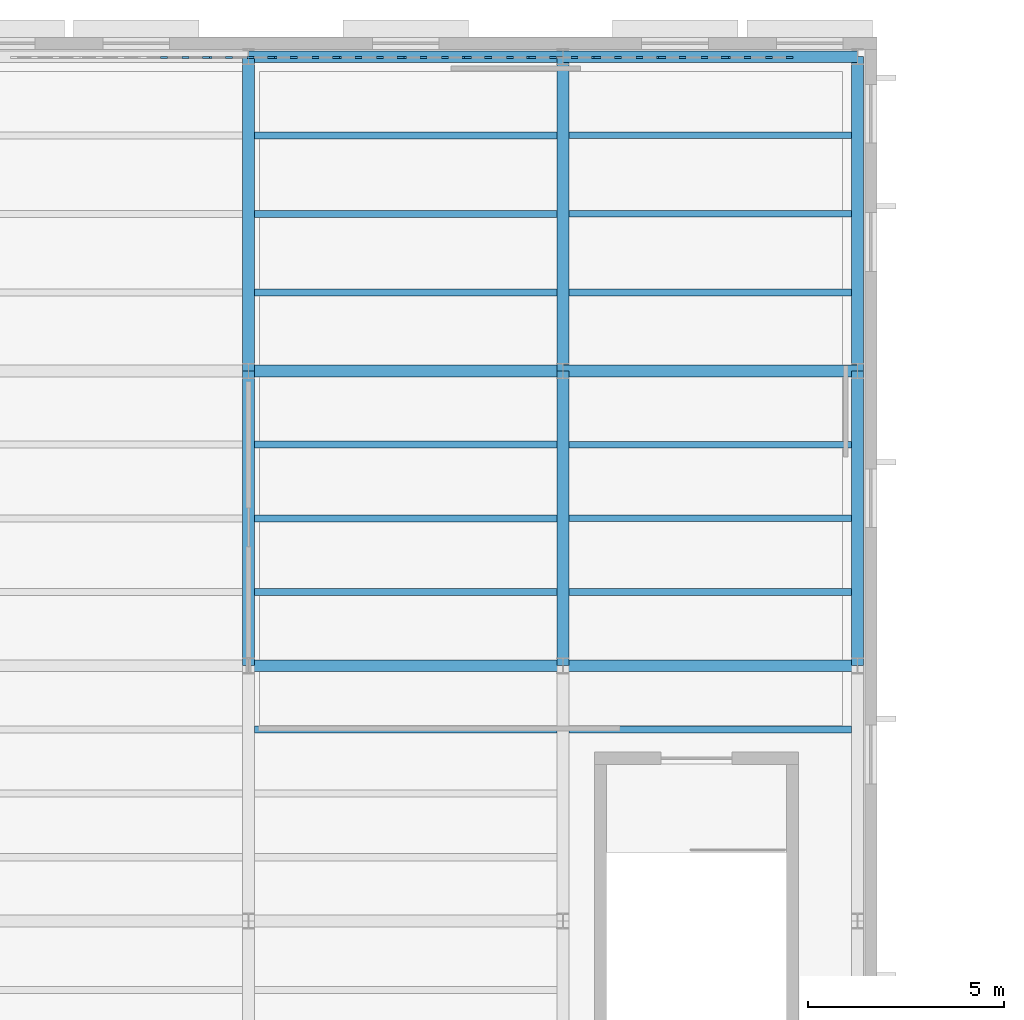
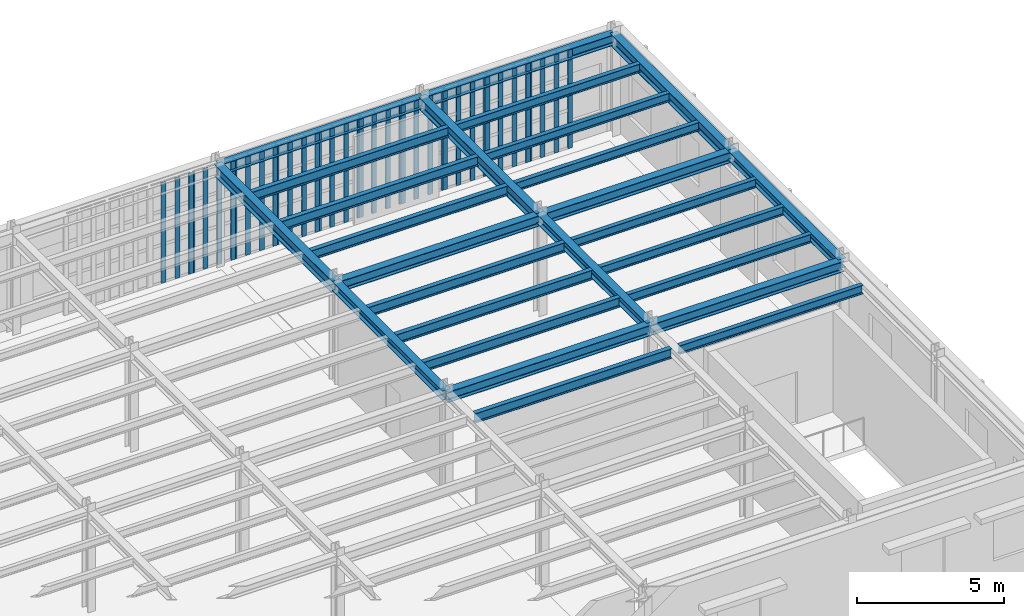
# One storey, part 32 of 91: 39 members, 26 beams, 10 elements without a shape of their own.
"""IFC4 building model written with IfcOpenShell, lengths in metres."""

from ifc_helpers import new_model, si_unit, direction, frame, origin, origin_2d, place, context, subcontext, project, spatial, rectangle, i_section, extrude, material, material_profile, profile_set, type_object, element, aggregate, save


model = new_model("IFC4")

# Units and contexts
model_context = context("Model", 3, precision=1e-05, world=origin(), true_north=direction((0.0, 1.0)))
body_context = subcontext(model_context, "Body", "Model", "MODEL_VIEW")
ifc_project = project(units=[si_unit("LENGTHUNIT", "METRE"), si_unit("AREAUNIT", "SQUARE_METRE"), si_unit("VOLUMEUNIT", "CUBIC_METRE"), si_unit("PLANEANGLEUNIT", "RADIAN"), si_unit("MASSUNIT", "GRAM", prefix="KILO")], contexts=[model_context])

# Site, building, storey
site_placement = place(None, origin())
site = spatial("IfcSite", under=ifc_project, at=site_placement, CompositionType="ELEMENT")
building_placement = place(site_placement, origin())
building = spatial("IfcBuilding", under=site, at=building_placement, Name="Kolvaren Corner Interchange", CompositionType="ELEMENT")
storey_placement = place(building_placement, frame((0.0, 0.0, 6.0)))
storey = spatial("IfcBuildingStorey", under=building, at=storey_placement, Name="L02", CompositionType="ELEMENT", Elevation=6.0)

# Beams
ifc_material_1 = material(Name="Steel S355", Category="steel")
ifc_material_profile_1 = material_profile(ifc_material_1, i_section(OverallWidth=0.300048828125, OverallDepth=0.389892578125, WebThickness=0.010986328125, FlangeThickness=0.01904296875, FilletRadius=0.027099609375, at=origin_2d()), Name="HEA 400")
ifc_profile_set_1 = profile_set([ifc_material_profile_1], Name="Steel S355")
beam_type_1 = type_object("IfcBeamType", Name="BM-HEA400", PredefinedType="BEAM", material=ifc_profile_set_1)
for number, where, z_axis, x_axis, name in (
    (1, (98.0, 98.0, 3.985107421875), (0.0, 1.0, 0.0), (-1.0, 0.0, 0.0), "Storey L02 Grid Y Primary Girder 0808"),
    (2, (106.0, 98.0, 3.985107421875), (0.0, 1.0, 0.0), (-1.0, 0.0, 0.0), "Storey L02 Grid Y Primary Girder 0812"),
    (3, (113.5, 98.0, 3.985107421875), (0.0, 1.0, 0.0), (-1.0, 0.0, 0.0), "Storey L02 Grid Y Primary Girder 0816"),
):
    element("IfcBeam", number, at=place(storey_placement, frame(where, z_axis=z_axis, x_axis=x_axis)), inside=storey, type_object=beam_type_1, Name=name, PredefinedType="BEAM", context=body_context, shape_type="SweptSolid", body=[
        extrude(i_section(OverallWidth=0.300048828125, OverallDepth=0.389892578125, WebThickness=0.010986328125, FlangeThickness=0.01904296875, FilletRadius=0.027099609375, at=origin_2d()), origin(), (0.0, 0.0, 1.0), 7.5),
    ])
ifc_material_2 = material(Name="Steel S355", Category="steel")
ifc_material_profile_2 = material_profile(ifc_material_2, i_section(OverallWidth=0.300048828125, OverallDepth=0.43994140625, WebThickness=0.011474609375, FlangeThickness=0.02099609375, FilletRadius=0.027099609375, at=origin_2d()), Name="HEA 450")
ifc_profile_set_2 = profile_set([ifc_material_profile_2], Name="Steel S355")
beam_type_2 = type_object("IfcBeamType", Name="BM-HEA450", PredefinedType="BEAM", material=ifc_profile_set_2)
beam_1_placement = place(storey_placement, frame((98.0, 98.0, 3.9599609375), z_axis=(1.0, 0.0, 0.0), x_axis=(0.0, 1.0, 0.0)))
element("IfcBeam", 4, at=beam_1_placement, inside=storey, type_object=beam_type_2, Name="Storey L02 Grid X Primary Girder 0724", PredefinedType="BEAM", context=body_context, shape_type="SweptSolid", body=[
    extrude(i_section(OverallWidth=0.300048828125, OverallDepth=0.43994140625, WebThickness=0.011474609375, FlangeThickness=0.02099609375, FilletRadius=0.027099609375, at=origin_2d()), origin(), (0.0, 0.0, 1.0), 8.0),
])
beam_2_placement = place(storey_placement, frame((106.0, 98.0, 3.9599609375), z_axis=(1.0, 0.0, 0.0), x_axis=(0.0, 1.0, 0.0)))
element("IfcBeam", 5, at=beam_2_placement, inside=storey, type_object=beam_type_2, Name="Storey L02 Grid X Primary Girder 0725", PredefinedType="BEAM", context=body_context, shape_type="SweptSolid", body=[
    extrude(i_section(OverallWidth=0.300048828125, OverallDepth=0.43994140625, WebThickness=0.011474609375, FlangeThickness=0.02099609375, FilletRadius=0.027099609375, at=origin_2d()), origin(), (0.0, 0.0, 1.0), 7.5),
])
beam_3_placement = place(storey_placement, frame((98.0, 105.5, 3.9599609375), z_axis=(1.0, 0.0, 0.0), x_axis=(0.0, 1.0, 0.0)))
element("IfcBeam", 6, at=beam_3_placement, inside=storey, type_object=beam_type_2, Name="Storey L02 Grid X Primary Girder 0731", PredefinedType="BEAM", context=body_context, shape_type="SweptSolid", body=[
    extrude(i_section(OverallWidth=0.300048828125, OverallDepth=0.43994140625, WebThickness=0.011474609375, FlangeThickness=0.02099609375, FilletRadius=0.027099609375, at=origin_2d()), origin(), (0.0, 0.0, 1.0), 8.0),
])
beam_4_placement = place(storey_placement, frame((106.0, 105.5, 3.9599609375), z_axis=(1.0, 0.0, 0.0), x_axis=(0.0, 1.0, 0.0)))
element("IfcBeam", 7, at=beam_4_placement, inside=storey, type_object=beam_type_2, Name="Storey L02 Grid X Primary Girder 0732", PredefinedType="BEAM", context=body_context, shape_type="SweptSolid", body=[
    extrude(i_section(OverallWidth=0.300048828125, OverallDepth=0.43994140625, WebThickness=0.011474609375, FlangeThickness=0.02099609375, FilletRadius=0.027099609375, at=origin_2d()), origin(), (0.0, 0.0, 1.0), 7.5),
])
beam_5_placement = place(storey_placement, frame((98.0, 113.5, 3.9599609375), z_axis=(1.0, 0.0, 0.0), x_axis=(0.0, 1.0, 0.0)))
element("IfcBeam", 8, at=beam_5_placement, inside=storey, type_object=beam_type_2, Name="Storey L02 Grid X Primary Girder 0738", PredefinedType="BEAM", context=body_context, shape_type="SweptSolid", body=[
    extrude(i_section(OverallWidth=0.300048828125, OverallDepth=0.43994140625, WebThickness=0.011474609375, FlangeThickness=0.02099609375, FilletRadius=0.027099609375, at=origin_2d()), origin(), (0.0, 0.0, 1.0), 8.0),
])
beam_6_placement = place(storey_placement, frame((106.0, 113.5, 3.9599609375), z_axis=(1.0, 0.0, 0.0), x_axis=(0.0, 1.0, 0.0)))
element("IfcBeam", 9, at=beam_6_placement, inside=storey, type_object=beam_type_2, Name="Storey L02 Grid X Primary Girder 0739", PredefinedType="BEAM", context=body_context, shape_type="SweptSolid", body=[
    extrude(i_section(OverallWidth=0.300048828125, OverallDepth=0.43994140625, WebThickness=0.011474609375, FlangeThickness=0.02099609375, FilletRadius=0.027099609375, at=origin_2d()), origin(), (0.0, 0.0, 1.0), 7.5),
])
ifc_material_3 = material(Name="Steel S355", Category="steel")
ifc_material_profile_3 = material_profile(ifc_material_3, i_section(OverallWidth=0.300048828125, OverallDepth=0.489990234375, WebThickness=0.011962890625, FlangeThickness=0.02294921875, FilletRadius=0.027099609375, at=origin_2d()), Name="HEA 500")
ifc_profile_set_3 = profile_set([ifc_material_profile_3], Name="Steel S355")
beam_type_3 = type_object("IfcBeamType", Name="BM-HEA500", PredefinedType="BEAM", material=ifc_profile_set_3)
for number, where, z_axis, x_axis, name in (
    (10, (98.0, 105.5, 3.93505859375), (0.0, 1.0, 0.0), (-1.0, 0.0, 0.0), "Storey L02 Grid Y Primary Girder 0809"),
    (11, (106.0, 105.5, 3.93505859375), (0.0, 1.0, 0.0), (-1.0, 0.0, 0.0), "Storey L02 Grid Y Primary Girder 0813"),
    (12, (113.5, 105.5, 3.93505859375), (0.0, 1.0, 0.0), (-1.0, 0.0, 0.0), "Storey L02 Grid Y Primary Girder 0817"),
):
    element("IfcBeam", number, at=place(storey_placement, frame(where, z_axis=z_axis, x_axis=x_axis)), inside=storey, type_object=beam_type_3, Name=name, PredefinedType="BEAM", context=body_context, shape_type="SweptSolid", body=[
        extrude(i_section(OverallWidth=0.300048828125, OverallDepth=0.489990234375, WebThickness=0.011962890625, FlangeThickness=0.02294921875, FilletRadius=0.027099609375, at=origin_2d()), origin(), (0.0, 0.0, 1.0), 8.0),
    ])
ifc_material_4 = material(Name="Steel S355", Category="steel")
ifc_material_profile_4 = material_profile(ifc_material_4, i_section(OverallWidth=0.169921875, OverallDepth=0.360107421875, WebThickness=0.008056640625, FlangeThickness=0.0126953125, FilletRadius=0.01806640625, at=origin_2d()), Name="IPE 360")
ifc_profile_set_4 = profile_set([ifc_material_profile_4], Name="Steel S355")
beam_type_4 = type_object("IfcBeamType", Name="JS-IPE360", PredefinedType="JOIST", material=ifc_profile_set_4)
for number, where, z_axis, x_axis, name in (
    (13, (106.14990234375, 96.375, 4.0), (1.0, 0.0, 0.0), (0.0, 1.0, 0.0), "Storey L02 Composite Floor Joist 0752"),
    (14, (106.14990234375, 99.875, 4.0), (1.0, 0.0, 0.0), (0.0, 1.0, 0.0), "Storey L02 Composite Floor Joist 0753"),
    (15, (106.14990234375, 101.75, 4.0), (1.0, 0.0, 0.0), (0.0, 1.0, 0.0), "Storey L02 Composite Floor Joist 0754"),
    (16, (106.14990234375, 103.625, 4.0), (1.0, 0.0, 0.0), (0.0, 1.0, 0.0), "Storey L02 Composite Floor Joist 0755"),
    (17, (106.14990234375, 107.5, 4.0), (1.0, 0.0, 0.0), (0.0, 1.0, 0.0), "Storey L02 Composite Floor Joist 0756"),
    (18, (106.14990234375, 109.5, 4.0), (1.0, 0.0, 0.0), (0.0, 1.0, 0.0), "Storey L02 Composite Floor Joist 0757"),
    (19, (106.14990234375, 111.5, 4.0), (1.0, 0.0, 0.0), (0.0, 1.0, 0.0), "Storey L02 Composite Floor Joist 0758"),
):
    element("IfcBeam", number, at=place(storey_placement, frame(where, z_axis=z_axis, x_axis=x_axis)), inside=storey, type_object=beam_type_4, Name=name, PredefinedType="JOIST", context=body_context, shape_type="SweptSolid", body=[
        extrude(i_section(OverallWidth=0.169921875, OverallDepth=0.360107421875, WebThickness=0.008056640625, FlangeThickness=0.0126953125, FilletRadius=0.01806640625, at=origin_2d()), origin(), (0.0, 0.0, 1.0), 7.2001953125),
    ])
ifc_material_5 = material(Name="Steel S355", Category="steel")
ifc_material_profile_5 = material_profile(ifc_material_5, i_section(OverallWidth=0.179931640625, OverallDepth=0.39990234375, WebThickness=0.008544921875, FlangeThickness=0.013427734375, FilletRadius=0.02099609375, at=origin_2d()), Name="IPE 400")
ifc_profile_set_5 = profile_set([ifc_material_profile_5], Name="Steel S355")
beam_type_5 = type_object("IfcBeamType", Name="JS-IPE400", PredefinedType="JOIST", material=ifc_profile_set_5)
for number, where, z_axis, x_axis, name in (
    (20, (98.14990234375, 96.375, 3.97998046875), (1.0, 0.0, 0.0), (0.0, 1.0, 0.0), "Storey L02 Composite Floor Joist 0745"),
    (21, (98.14990234375, 99.875, 3.97998046875), (1.0, 0.0, 0.0), (0.0, 1.0, 0.0), "Storey L02 Composite Floor Joist 0746"),
    (22, (98.14990234375, 101.75, 3.97998046875), (1.0, 0.0, 0.0), (0.0, 1.0, 0.0), "Storey L02 Composite Floor Joist 0747"),
    (23, (98.14990234375, 103.625, 3.97998046875), (1.0, 0.0, 0.0), (0.0, 1.0, 0.0), "Storey L02 Composite Floor Joist 0748"),
    (24, (98.14990234375, 107.5, 3.97998046875), (1.0, 0.0, 0.0), (0.0, 1.0, 0.0), "Storey L02 Composite Floor Joist 0749"),
    (25, (98.14990234375, 109.5, 3.97998046875), (1.0, 0.0, 0.0), (0.0, 1.0, 0.0), "Storey L02 Composite Floor Joist 0750"),
    (26, (98.14990234375, 111.5, 3.97998046875), (1.0, 0.0, 0.0), (0.0, 1.0, 0.0), "Storey L02 Composite Floor Joist 0751"),
):
    element("IfcBeam", number, at=place(storey_placement, frame(where, z_axis=z_axis, x_axis=x_axis)), inside=storey, type_object=beam_type_5, Name=name, PredefinedType="JOIST", context=body_context, shape_type="SweptSolid", body=[
        extrude(i_section(OverallWidth=0.179931640625, OverallDepth=0.39990234375, WebThickness=0.008544921875, FlangeThickness=0.013427734375, FilletRadius=0.02099609375, at=origin_2d()), origin(), (0.0, 0.0, 1.0), 7.7001953125),
    ])

# Curtain wall, members
ifc_material_6 = material(Name="Unitised Aluminium and Solar-Control Glass Curtain Wall", Category="aluminium")
curtain_wall_type = type_object("IfcCurtainWallType", Name="CW-V3-MEZZ", PredefinedType="NOTDEFINED", material=ifc_material_6)
curtain_wall_1_placement = place(storey_placement, origin())
curtain_wall_1 = element("IfcCurtainWall", 27, at=curtain_wall_1_placement, inside=storey, type_object=curtain_wall_type, Name="Cycle Mezzanine North Curtain Wall Bay 03", PredefinedType="NOTDEFINED")
ifc_material_7 = material(Name="Anodised Aluminium Framing", Category="aluminium")
ifc_material_profile_6 = material_profile(ifc_material_7, rectangle(XDim=0.06005859375, YDim=0.179931640625, at=origin_2d()), Name="ALU 60x180")
ifc_profile_set_6 = profile_set([ifc_material_profile_6], Name="Anodised Aluminium Framing")
member_type = type_object("IfcMemberType", Name="MUL-ALU60x180", PredefinedType="MULLION", material=ifc_profile_set_6)
member_1_placement = place(storey_placement, frame((95.85009765625, 113.47998046875, 0.0), z_axis=(0.0, 0.0, 1.0), x_axis=(0.0, 1.0, 0.0)))
member_1 = element("IfcMember", 28, at=member_1_placement, type_object=member_type, Name="CW-116 mullion 2", PredefinedType="MULLION", context=body_context, shape_type="SweptSolid", body=[
    extrude(rectangle(XDim=0.06005859375, YDim=0.179931640625, at=origin_2d()), origin(), (0.0, 0.0, 1.0), 4.159912109375),
])
member_2_placement = place(storey_placement, frame((96.39990234375, 113.47998046875, 0.0), z_axis=(0.0, 0.0, 1.0), x_axis=(0.0, 1.0, 0.0)))
member_2 = element("IfcMember", 29, at=member_2_placement, type_object=member_type, Name="CW-116 mullion 3", PredefinedType="MULLION", context=body_context, shape_type="SweptSolid", body=[
    extrude(rectangle(XDim=0.06005859375, YDim=0.179931640625, at=origin_2d()), origin(), (0.0, 0.0, 1.0), 4.159912109375),
])
member_3_placement = place(storey_placement, frame((96.919921875, 113.47998046875, 0.0), z_axis=(0.0, 0.0, 1.0), x_axis=(0.0, 1.0, 0.0)))
member_3 = element("IfcMember", 30, at=member_3_placement, type_object=member_type, Name="CW-116 mullion 4", PredefinedType="MULLION", context=body_context, shape_type="SweptSolid", body=[
    extrude(rectangle(XDim=0.06005859375, YDim=0.179931640625, at=origin_2d()), origin(), (0.0, 0.0, 1.0), 4.159912109375),
])
aggregate(curtain_wall_1, [member_1, member_2, member_3])

curtain_wall_2_placement = place(storey_placement, origin())
curtain_wall_2 = element("IfcCurtainWall", 31, at=curtain_wall_2_placement, inside=storey, type_object=curtain_wall_type, Name="Cycle Mezzanine North Curtain Wall Bay 04", PredefinedType="NOTDEFINED")
member_4_placement = place(storey_placement, frame((96.97998046875, 113.47998046875, 0.0), z_axis=(0.0, 0.0, 1.0), x_axis=(0.0, 1.0, 0.0)))
member_4 = element("IfcMember", 32, at=member_4_placement, type_object=member_type, Name="CW-117 mullion 1", PredefinedType="MULLION", context=body_context, shape_type="SweptSolid", body=[
    extrude(rectangle(XDim=0.06005859375, YDim=0.179931640625, at=origin_2d()), origin(), (0.0, 0.0, 1.0), 4.159912109375),
])
member_5_placement = place(storey_placement, frame((97.5, 113.47998046875, 0.0), z_axis=(0.0, 0.0, 1.0), x_axis=(0.0, 1.0, 0.0)))
member_5 = element("IfcMember", 33, at=member_5_placement, type_object=member_type, Name="CW-117 mullion 2", PredefinedType="MULLION", context=body_context, shape_type="SweptSolid", body=[
    extrude(rectangle(XDim=0.06005859375, YDim=0.179931640625, at=origin_2d()), origin(), (0.0, 0.0, 1.0), 4.159912109375),
])
member_6_placement = place(storey_placement, frame((98.050048828125, 113.47998046875, 0.0), z_axis=(0.0, 0.0, 1.0), x_axis=(0.0, 1.0, 0.0)))
member_6 = element("IfcMember", 34, at=member_6_placement, type_object=member_type, Name="CW-117 mullion 3", PredefinedType="MULLION", context=body_context, shape_type="SweptSolid", body=[
    extrude(rectangle(XDim=0.06005859375, YDim=0.179931640625, at=origin_2d()), origin(), (0.0, 0.0, 1.0), 4.159912109375),
])
member_7_placement = place(storey_placement, frame((98.570068359375, 113.47998046875, 0.0), z_axis=(0.0, 0.0, 1.0), x_axis=(0.0, 1.0, 0.0)))
member_7 = element("IfcMember", 35, at=member_7_placement, type_object=member_type, Name="CW-117 mullion 4", PredefinedType="MULLION", context=body_context, shape_type="SweptSolid", body=[
    extrude(rectangle(XDim=0.06005859375, YDim=0.179931640625, at=origin_2d()), origin(), (0.0, 0.0, 1.0), 4.159912109375),
])
aggregate(curtain_wall_2, [member_4, member_5, member_6, member_7])

curtain_wall_3_placement = place(storey_placement, origin())
curtain_wall_3 = element("IfcCurtainWall", 36, at=curtain_wall_3_placement, inside=storey, type_object=curtain_wall_type, Name="Cycle Mezzanine North Curtain Wall Bay 05", PredefinedType="NOTDEFINED")
member_8_placement = place(storey_placement, frame((98.6298828125, 113.47998046875, 0.0), z_axis=(0.0, 0.0, 1.0), x_axis=(0.0, 1.0, 0.0)))
member_8 = element("IfcMember", 37, at=member_8_placement, type_object=member_type, Name="CW-118 mullion 1", PredefinedType="MULLION", context=body_context, shape_type="SweptSolid", body=[
    extrude(rectangle(XDim=0.06005859375, YDim=0.179931640625, at=origin_2d()), origin(), (0.0, 0.0, 1.0), 4.159912109375),
])
member_9_placement = place(storey_placement, frame((99.14990234375, 113.47998046875, 0.0), z_axis=(0.0, 0.0, 1.0), x_axis=(0.0, 1.0, 0.0)))
member_9 = element("IfcMember", 38, at=member_9_placement, type_object=member_type, Name="CW-118 mullion 2", PredefinedType="MULLION", context=body_context, shape_type="SweptSolid", body=[
    extrude(rectangle(XDim=0.06005859375, YDim=0.179931640625, at=origin_2d()), origin(), (0.0, 0.0, 1.0), 4.159912109375),
])
member_10_placement = place(storey_placement, frame((99.699951171875, 113.47998046875, 0.0), z_axis=(0.0, 0.0, 1.0), x_axis=(0.0, 1.0, 0.0)))
member_10 = element("IfcMember", 39, at=member_10_placement, type_object=member_type, Name="CW-118 mullion 3", PredefinedType="MULLION", context=body_context, shape_type="SweptSolid", body=[
    extrude(rectangle(XDim=0.06005859375, YDim=0.179931640625, at=origin_2d()), origin(), (0.0, 0.0, 1.0), 4.159912109375),
])
member_11_placement = place(storey_placement, frame((100.219970703125, 113.47998046875, 0.0), z_axis=(0.0, 0.0, 1.0), x_axis=(0.0, 1.0, 0.0)))
member_11 = element("IfcMember", 40, at=member_11_placement, type_object=member_type, Name="CW-118 mullion 4", PredefinedType="MULLION", context=body_context, shape_type="SweptSolid", body=[
    extrude(rectangle(XDim=0.06005859375, YDim=0.179931640625, at=origin_2d()), origin(), (0.0, 0.0, 1.0), 4.159912109375),
])
aggregate(curtain_wall_3, [member_8, member_9, member_10, member_11])

curtain_wall_4_placement = place(storey_placement, origin())
curtain_wall_4 = element("IfcCurtainWall", 41, at=curtain_wall_4_placement, inside=storey, type_object=curtain_wall_type, Name="Cycle Mezzanine North Curtain Wall Bay 06", PredefinedType="NOTDEFINED")
member_12_placement = place(storey_placement, frame((100.280029296875, 113.47998046875, 0.0), z_axis=(0.0, 0.0, 1.0), x_axis=(0.0, 1.0, 0.0)))
member_12 = element("IfcMember", 42, at=member_12_placement, type_object=member_type, Name="CW-119 mullion 1", PredefinedType="MULLION", context=body_context, shape_type="SweptSolid", body=[
    extrude(rectangle(XDim=0.06005859375, YDim=0.179931640625, at=origin_2d()), origin(), (0.0, 0.0, 1.0), 4.159912109375),
])
member_13_placement = place(storey_placement, frame((100.800048828125, 113.47998046875, 0.0), z_axis=(0.0, 0.0, 1.0), x_axis=(0.0, 1.0, 0.0)))
member_13 = element("IfcMember", 43, at=member_13_placement, type_object=member_type, Name="CW-119 mullion 2", PredefinedType="MULLION", context=body_context, shape_type="SweptSolid", body=[
    extrude(rectangle(XDim=0.06005859375, YDim=0.179931640625, at=origin_2d()), origin(), (0.0, 0.0, 1.0), 4.159912109375),
])
member_14_placement = place(storey_placement, frame((101.35009765625, 113.47998046875, 0.0), z_axis=(0.0, 0.0, 1.0), x_axis=(0.0, 1.0, 0.0)))
member_14 = element("IfcMember", 44, at=member_14_placement, type_object=member_type, Name="CW-119 mullion 3", PredefinedType="MULLION", context=body_context, shape_type="SweptSolid", body=[
    extrude(rectangle(XDim=0.06005859375, YDim=0.179931640625, at=origin_2d()), origin(), (0.0, 0.0, 1.0), 4.159912109375),
])
member_15_placement = place(storey_placement, frame((101.8701171875, 113.47998046875, 0.0), z_axis=(0.0, 0.0, 1.0), x_axis=(0.0, 1.0, 0.0)))
member_15 = element("IfcMember", 45, at=member_15_placement, type_object=member_type, Name="CW-119 mullion 4", PredefinedType="MULLION", context=body_context, shape_type="SweptSolid", body=[
    extrude(rectangle(XDim=0.06005859375, YDim=0.179931640625, at=origin_2d()), origin(), (0.0, 0.0, 1.0), 4.159912109375),
])
aggregate(curtain_wall_4, [member_12, member_13, member_14, member_15])

curtain_wall_5_placement = place(storey_placement, origin())
curtain_wall_5 = element("IfcCurtainWall", 46, at=curtain_wall_5_placement, inside=storey, type_object=curtain_wall_type, Name="Cycle Mezzanine North Curtain Wall Bay 07", PredefinedType="NOTDEFINED")
member_16_placement = place(storey_placement, frame((101.929931640625, 113.47998046875, 0.0), z_axis=(0.0, 0.0, 1.0), x_axis=(0.0, 1.0, 0.0)))
member_16 = element("IfcMember", 47, at=member_16_placement, type_object=member_type, Name="CW-120 mullion 1", PredefinedType="MULLION", context=body_context, shape_type="SweptSolid", body=[
    extrude(rectangle(XDim=0.06005859375, YDim=0.179931640625, at=origin_2d()), origin(), (0.0, 0.0, 1.0), 4.159912109375),
])
member_17_placement = place(storey_placement, frame((102.449951171875, 113.47998046875, 0.0), z_axis=(0.0, 0.0, 1.0), x_axis=(0.0, 1.0, 0.0)))
member_17 = element("IfcMember", 48, at=member_17_placement, type_object=member_type, Name="CW-120 mullion 2", PredefinedType="MULLION", context=body_context, shape_type="SweptSolid", body=[
    extrude(rectangle(XDim=0.06005859375, YDim=0.179931640625, at=origin_2d()), origin(), (0.0, 0.0, 1.0), 4.159912109375),
])
member_18_placement = place(storey_placement, frame((103.0, 113.47998046875, 0.0), z_axis=(0.0, 0.0, 1.0), x_axis=(0.0, 1.0, 0.0)))
member_18 = element("IfcMember", 49, at=member_18_placement, type_object=member_type, Name="CW-120 mullion 3", PredefinedType="MULLION", context=body_context, shape_type="SweptSolid", body=[
    extrude(rectangle(XDim=0.06005859375, YDim=0.179931640625, at=origin_2d()), origin(), (0.0, 0.0, 1.0), 4.159912109375),
])
member_19_placement = place(storey_placement, frame((103.52001953125, 113.47998046875, 0.0), z_axis=(0.0, 0.0, 1.0), x_axis=(0.0, 1.0, 0.0)))
member_19 = element("IfcMember", 50, at=member_19_placement, type_object=member_type, Name="CW-120 mullion 4", PredefinedType="MULLION", context=body_context, shape_type="SweptSolid", body=[
    extrude(rectangle(XDim=0.06005859375, YDim=0.179931640625, at=origin_2d()), origin(), (0.0, 0.0, 1.0), 4.159912109375),
])
aggregate(curtain_wall_5, [member_16, member_17, member_18, member_19])

curtain_wall_6_placement = place(storey_placement, origin())
curtain_wall_6 = element("IfcCurtainWall", 51, at=curtain_wall_6_placement, inside=storey, type_object=curtain_wall_type, Name="Cycle Mezzanine North Curtain Wall Bay 08", PredefinedType="NOTDEFINED")
member_20_placement = place(storey_placement, frame((103.580078125, 113.47998046875, 0.0), z_axis=(0.0, 0.0, 1.0), x_axis=(0.0, 1.0, 0.0)))
member_20 = element("IfcMember", 52, at=member_20_placement, type_object=member_type, Name="CW-121 mullion 1", PredefinedType="MULLION", context=body_context, shape_type="SweptSolid", body=[
    extrude(rectangle(XDim=0.06005859375, YDim=0.179931640625, at=origin_2d()), origin(), (0.0, 0.0, 1.0), 4.159912109375),
])
member_21_placement = place(storey_placement, frame((104.10009765625, 113.47998046875, 0.0), z_axis=(0.0, 0.0, 1.0), x_axis=(0.0, 1.0, 0.0)))
member_21 = element("IfcMember", 53, at=member_21_placement, type_object=member_type, Name="CW-121 mullion 2", PredefinedType="MULLION", context=body_context, shape_type="SweptSolid", body=[
    extrude(rectangle(XDim=0.06005859375, YDim=0.179931640625, at=origin_2d()), origin(), (0.0, 0.0, 1.0), 4.159912109375),
])
member_22_placement = place(storey_placement, frame((104.64990234375, 113.47998046875, 0.0), z_axis=(0.0, 0.0, 1.0), x_axis=(0.0, 1.0, 0.0)))
member_22 = element("IfcMember", 54, at=member_22_placement, type_object=member_type, Name="CW-121 mullion 3", PredefinedType="MULLION", context=body_context, shape_type="SweptSolid", body=[
    extrude(rectangle(XDim=0.06005859375, YDim=0.179931640625, at=origin_2d()), origin(), (0.0, 0.0, 1.0), 4.159912109375),
])
member_23_placement = place(storey_placement, frame((105.169921875, 113.47998046875, 0.0), z_axis=(0.0, 0.0, 1.0), x_axis=(0.0, 1.0, 0.0)))
member_23 = element("IfcMember", 55, at=member_23_placement, type_object=member_type, Name="CW-121 mullion 4", PredefinedType="MULLION", context=body_context, shape_type="SweptSolid", body=[
    extrude(rectangle(XDim=0.06005859375, YDim=0.179931640625, at=origin_2d()), origin(), (0.0, 0.0, 1.0), 4.159912109375),
])
aggregate(curtain_wall_6, [member_20, member_21, member_22, member_23])

curtain_wall_7_placement = place(storey_placement, origin())
curtain_wall_7 = element("IfcCurtainWall", 56, at=curtain_wall_7_placement, inside=storey, type_object=curtain_wall_type, Name="Cycle Mezzanine North Curtain Wall Bay 09", PredefinedType="NOTDEFINED")
member_24_placement = place(storey_placement, frame((105.22998046875, 113.47998046875, 0.0), z_axis=(0.0, 0.0, 1.0), x_axis=(0.0, 1.0, 0.0)))
member_24 = element("IfcMember", 57, at=member_24_placement, type_object=member_type, Name="CW-122 mullion 1", PredefinedType="MULLION", context=body_context, shape_type="SweptSolid", body=[
    extrude(rectangle(XDim=0.06005859375, YDim=0.179931640625, at=origin_2d()), origin(), (0.0, 0.0, 1.0), 4.159912109375),
])
member_25_placement = place(storey_placement, frame((105.75, 113.47998046875, 0.0), z_axis=(0.0, 0.0, 1.0), x_axis=(0.0, 1.0, 0.0)))
member_25 = element("IfcMember", 58, at=member_25_placement, type_object=member_type, Name="CW-122 mullion 2", PredefinedType="MULLION", context=body_context, shape_type="SweptSolid", body=[
    extrude(rectangle(XDim=0.06005859375, YDim=0.179931640625, at=origin_2d()), origin(), (0.0, 0.0, 1.0), 4.159912109375),
])
member_26_placement = place(storey_placement, frame((106.300048828125, 113.47998046875, 0.0), z_axis=(0.0, 0.0, 1.0), x_axis=(0.0, 1.0, 0.0)))
member_26 = element("IfcMember", 59, at=member_26_placement, type_object=member_type, Name="CW-122 mullion 3", PredefinedType="MULLION", context=body_context, shape_type="SweptSolid", body=[
    extrude(rectangle(XDim=0.06005859375, YDim=0.179931640625, at=origin_2d()), origin(), (0.0, 0.0, 1.0), 4.159912109375),
])
member_27_placement = place(storey_placement, frame((106.820068359375, 113.47998046875, 0.0), z_axis=(0.0, 0.0, 1.0), x_axis=(0.0, 1.0, 0.0)))
member_27 = element("IfcMember", 60, at=member_27_placement, type_object=member_type, Name="CW-122 mullion 4", PredefinedType="MULLION", context=body_context, shape_type="SweptSolid", body=[
    extrude(rectangle(XDim=0.06005859375, YDim=0.179931640625, at=origin_2d()), origin(), (0.0, 0.0, 1.0), 4.159912109375),
])
aggregate(curtain_wall_7, [member_24, member_25, member_26, member_27])

curtain_wall_8_placement = place(storey_placement, origin())
curtain_wall_8 = element("IfcCurtainWall", 61, at=curtain_wall_8_placement, inside=storey, type_object=curtain_wall_type, Name="Cycle Mezzanine North Curtain Wall Bay 10", PredefinedType="NOTDEFINED")
member_28_placement = place(storey_placement, frame((106.8798828125, 113.47998046875, 0.0), z_axis=(0.0, 0.0, 1.0), x_axis=(0.0, 1.0, 0.0)))
member_28 = element("IfcMember", 62, at=member_28_placement, type_object=member_type, Name="CW-123 mullion 1", PredefinedType="MULLION", context=body_context, shape_type="SweptSolid", body=[
    extrude(rectangle(XDim=0.06005859375, YDim=0.179931640625, at=origin_2d()), origin(), (0.0, 0.0, 1.0), 4.159912109375),
])
member_29_placement = place(storey_placement, frame((107.39990234375, 113.47998046875, 0.0), z_axis=(0.0, 0.0, 1.0), x_axis=(0.0, 1.0, 0.0)))
member_29 = element("IfcMember", 63, at=member_29_placement, type_object=member_type, Name="CW-123 mullion 2", PredefinedType="MULLION", context=body_context, shape_type="SweptSolid", body=[
    extrude(rectangle(XDim=0.06005859375, YDim=0.179931640625, at=origin_2d()), origin(), (0.0, 0.0, 1.0), 4.159912109375),
])
member_30_placement = place(storey_placement, frame((107.949951171875, 113.47998046875, 0.0), z_axis=(0.0, 0.0, 1.0), x_axis=(0.0, 1.0, 0.0)))
member_30 = element("IfcMember", 64, at=member_30_placement, type_object=member_type, Name="CW-123 mullion 3", PredefinedType="MULLION", context=body_context, shape_type="SweptSolid", body=[
    extrude(rectangle(XDim=0.06005859375, YDim=0.179931640625, at=origin_2d()), origin(), (0.0, 0.0, 1.0), 4.159912109375),
])
member_31_placement = place(storey_placement, frame((108.469970703125, 113.47998046875, 0.0), z_axis=(0.0, 0.0, 1.0), x_axis=(0.0, 1.0, 0.0)))
member_31 = element("IfcMember", 65, at=member_31_placement, type_object=member_type, Name="CW-123 mullion 4", PredefinedType="MULLION", context=body_context, shape_type="SweptSolid", body=[
    extrude(rectangle(XDim=0.06005859375, YDim=0.179931640625, at=origin_2d()), origin(), (0.0, 0.0, 1.0), 4.159912109375),
])
aggregate(curtain_wall_8, [member_28, member_29, member_30, member_31])

curtain_wall_9_placement = place(storey_placement, origin())
curtain_wall_9 = element("IfcCurtainWall", 66, at=curtain_wall_9_placement, inside=storey, type_object=curtain_wall_type, Name="Cycle Mezzanine North Curtain Wall Bay 11", PredefinedType="NOTDEFINED")
member_32_placement = place(storey_placement, frame((108.530029296875, 113.47998046875, 0.0), z_axis=(0.0, 0.0, 1.0), x_axis=(0.0, 1.0, 0.0)))
member_32 = element("IfcMember", 67, at=member_32_placement, type_object=member_type, Name="CW-124 mullion 1", PredefinedType="MULLION", context=body_context, shape_type="SweptSolid", body=[
    extrude(rectangle(XDim=0.06005859375, YDim=0.179931640625, at=origin_2d()), origin(), (0.0, 0.0, 1.0), 4.159912109375),
])
member_33_placement = place(storey_placement, frame((109.050048828125, 113.47998046875, 0.0), z_axis=(0.0, 0.0, 1.0), x_axis=(0.0, 1.0, 0.0)))
member_33 = element("IfcMember", 68, at=member_33_placement, type_object=member_type, Name="CW-124 mullion 2", PredefinedType="MULLION", context=body_context, shape_type="SweptSolid", body=[
    extrude(rectangle(XDim=0.06005859375, YDim=0.179931640625, at=origin_2d()), origin(), (0.0, 0.0, 1.0), 4.159912109375),
])
member_34_placement = place(storey_placement, frame((109.60009765625, 113.47998046875, 0.0), z_axis=(0.0, 0.0, 1.0), x_axis=(0.0, 1.0, 0.0)))
member_34 = element("IfcMember", 69, at=member_34_placement, type_object=member_type, Name="CW-124 mullion 3", PredefinedType="MULLION", context=body_context, shape_type="SweptSolid", body=[
    extrude(rectangle(XDim=0.06005859375, YDim=0.179931640625, at=origin_2d()), origin(), (0.0, 0.0, 1.0), 4.159912109375),
])
member_35_placement = place(storey_placement, frame((110.1201171875, 113.47998046875, 0.0), z_axis=(0.0, 0.0, 1.0), x_axis=(0.0, 1.0, 0.0)))
member_35 = element("IfcMember", 70, at=member_35_placement, type_object=member_type, Name="CW-124 mullion 4", PredefinedType="MULLION", context=body_context, shape_type="SweptSolid", body=[
    extrude(rectangle(XDim=0.06005859375, YDim=0.179931640625, at=origin_2d()), origin(), (0.0, 0.0, 1.0), 4.159912109375),
])
aggregate(curtain_wall_9, [member_32, member_33, member_34, member_35])

curtain_wall_10_placement = place(storey_placement, origin())
curtain_wall_10 = element("IfcCurtainWall", 71, at=curtain_wall_10_placement, inside=storey, type_object=curtain_wall_type, Name="Cycle Mezzanine North Curtain Wall Bay 12", PredefinedType="NOTDEFINED")
member_36_placement = place(storey_placement, frame((110.179931640625, 113.47998046875, 0.0), z_axis=(0.0, 0.0, 1.0), x_axis=(0.0, 1.0, 0.0)))
member_36 = element("IfcMember", 72, at=member_36_placement, type_object=member_type, Name="CW-125 mullion 1", PredefinedType="MULLION", context=body_context, shape_type="SweptSolid", body=[
    extrude(rectangle(XDim=0.06005859375, YDim=0.179931640625, at=origin_2d()), origin(), (0.0, 0.0, 1.0), 4.159912109375),
])
member_37_placement = place(storey_placement, frame((110.699951171875, 113.47998046875, 0.0), z_axis=(0.0, 0.0, 1.0), x_axis=(0.0, 1.0, 0.0)))
member_37 = element("IfcMember", 73, at=member_37_placement, type_object=member_type, Name="CW-125 mullion 2", PredefinedType="MULLION", context=body_context, shape_type="SweptSolid", body=[
    extrude(rectangle(XDim=0.06005859375, YDim=0.179931640625, at=origin_2d()), origin(), (0.0, 0.0, 1.0), 4.159912109375),
])
member_38_placement = place(storey_placement, frame((111.25, 113.47998046875, 0.0), z_axis=(0.0, 0.0, 1.0), x_axis=(0.0, 1.0, 0.0)))
member_38 = element("IfcMember", 74, at=member_38_placement, type_object=member_type, Name="CW-125 mullion 3", PredefinedType="MULLION", context=body_context, shape_type="SweptSolid", body=[
    extrude(rectangle(XDim=0.06005859375, YDim=0.179931640625, at=origin_2d()), origin(), (0.0, 0.0, 1.0), 4.159912109375),
])
member_39_placement = place(storey_placement, frame((111.77001953125, 113.47998046875, 0.0), z_axis=(0.0, 0.0, 1.0), x_axis=(0.0, 1.0, 0.0)))
member_39 = element("IfcMember", 75, at=member_39_placement, type_object=member_type, Name="CW-125 mullion 4", PredefinedType="MULLION", context=body_context, shape_type="SweptSolid", body=[
    extrude(rectangle(XDim=0.06005859375, YDim=0.179931640625, at=origin_2d()), origin(), (0.0, 0.0, 1.0), 4.159912109375),
])
aggregate(curtain_wall_10, [member_36, member_37, member_38, member_39])

save(model, "model.ifc")
